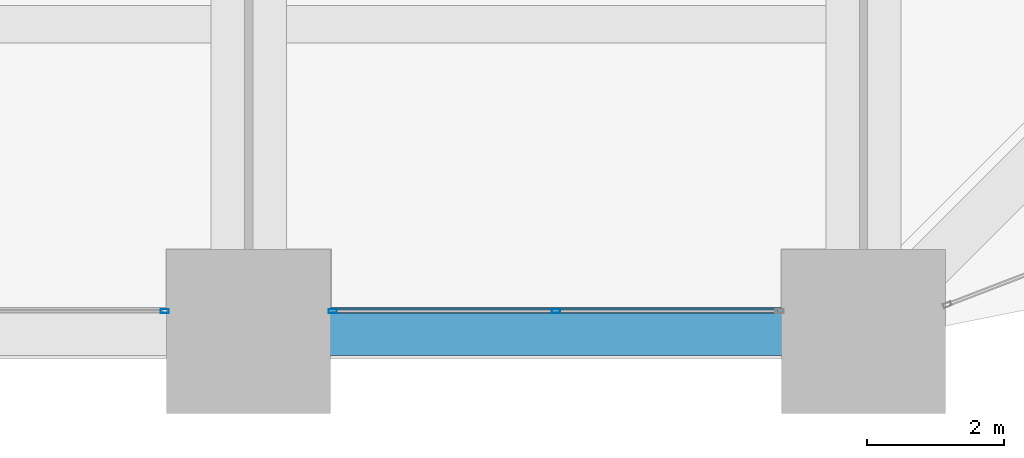
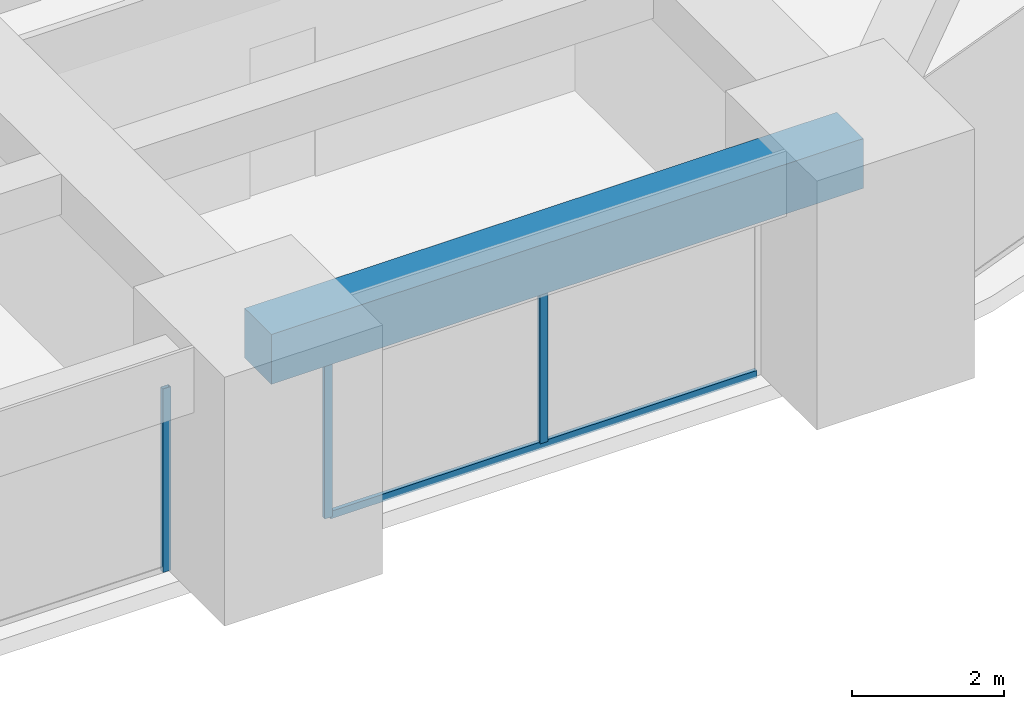
# One storey, part 11 of 45: 4 members, 1 beam, 2 elements without a shape of their own.
"""IFC4 building model written with IfcOpenShell, lengths in metres."""

import ifcopenshell
import ifcopenshell.guid

model = None  # the IFC model being written
_history = None  # IfcOwnerHistory: only IFC2X3 demands one
_inside = {}  # id of a spatial element -> (the spatial element, [elements in it])
_under = {}  # id of a project, library or spatial element -> (it, [spatial elements below it])
_declared = {}  # id of a project -> (the project, [libraries it declares])
_typed = {}  # id of a type object -> (the type object, [elements of that type])
_made_of = {}  # id of a material, layer set ... -> (it, [elements and type objects made of it])


def new_model(schema):
    """Start an empty IFC model of exactly this schema.

    Asked for "IFC4X3", IfcOpenShell would pick the latest addendum, in which some entities
    have other attributes; the version numbers below select the first issue.
    IFC2X3 requires an IfcOwnerHistory on every rooted entity: one is made here for all.
    """
    global model, _history
    if schema == "IFC4X3":
        model = ifcopenshell.file(schema_version=(4, 3, 0, 0))
    else:
        model = ifcopenshell.file(schema=schema)
    _inside.clear()
    _under.clear()
    _declared.clear()
    _typed.clear()
    _made_of.clear()
    _history = None
    if model.schema == "IFC2X3":
        org = make("IfcOrganization", Name="unknown")
        user = make(
            "IfcPersonAndOrganization",
            ThePerson=make("IfcPerson", FamilyName="unknown"),
            TheOrganization=org,
        )
        app = make(
            "IfcApplication",
            ApplicationDeveloper=org,
            Version="unknown",
            ApplicationFullName="unknown",
            ApplicationIdentifier="unknown",
        )
        _history = make(
            "IfcOwnerHistory",
            OwningUser=user,
            OwningApplication=app,
            ChangeAction="ADDED",
            CreationDate=0,
        )
    return model


def make(cls, **values):
    """One entity of the class cls with the attributes given. An attribute that is None is left unset."""
    return model.create_entity(
        cls, **{name: value for name, value in values.items() if value is not None}
    )


def rooted(cls, **values):
    """An entity with a GlobalId (a new one), such as an element, a storey or a relation."""
    return make(cls, GlobalId=ifcopenshell.guid.new(), OwnerHistory=_history, **values)


def si_unit(unit_type, name, prefix=None):
    """IfcSIUnit, for example si_unit("LENGTHUNIT", "METRE", prefix="MILLI")."""
    return make("IfcSIUnit", UnitType=unit_type, Prefix=prefix, Name=name)


def assignment(units):
    """IfcUnitAssignment: the units of a project."""
    return None if units is None else make("IfcUnitAssignment", Units=units)


def point(xyz):
    """IfcCartesianPoint."""
    return None if xyz is None else make("IfcCartesianPoint", Coordinates=xyz)


def direction(xyz):
    """IfcDirection."""
    return None if xyz is None else make("IfcDirection", DirectionRatios=xyz)


def frame(location, z_axis=None, x_axis=None):
    """IfcAxis2Placement3D, a coordinate frame: its origin and axes. An axis left out is left unset."""
    return make(
        "IfcAxis2Placement3D",
        Location=point(location),
        Axis=direction(z_axis),
        RefDirection=direction(x_axis),
    )


def frame_2d(location, x_axis=None):
    """IfcAxis2Placement2D, a coordinate frame in the plane: its origin and x axis."""
    return make(
        "IfcAxis2Placement2D", Location=point(location), RefDirection=direction(x_axis)
    )


def origin():
    """The frame at (0, 0, 0) with its axes left unset."""
    return frame((0.0, 0.0, 0.0))


def origin_2d():
    """The frame at (0, 0) in the plane with its x axis left unset."""
    return frame_2d((0.0, 0.0))


def place(relative_to, where):
    """IfcLocalPlacement: puts the frame where relative to a parent placement (None: the world)."""
    return make(
        "IfcLocalPlacement", PlacementRelTo=relative_to, RelativePlacement=where
    )


def context(
    kind, dimensions, precision=None, world=None, true_north=None, identifier=None
):
    """IfcGeometricRepresentationContext, for example the 3D "Model" context."""
    return make(
        "IfcGeometricRepresentationContext",
        ContextIdentifier=identifier,
        ContextType=kind,
        CoordinateSpaceDimension=dimensions,
        Precision=precision,
        WorldCoordinateSystem=world,
        TrueNorth=true_north,
    )


def subcontext(parent, identifier, kind, view, scale=None):
    """IfcGeometricRepresentationSubContext, for example "Body" below "Model"."""
    return make(
        "IfcGeometricRepresentationSubContext",
        ContextIdentifier=identifier,
        ContextType=kind,
        ParentContext=parent,
        TargetScale=scale,
        TargetView=view,
    )


def project(units=None, contexts=None):
    """IfcProject with its units and contexts."""
    return rooted(
        "IfcProject",
        Name="project",
        RepresentationContexts=contexts,
        UnitsInContext=assignment(units),
    )


def spatial(cls, under=None, at=None, **own):
    """A site, building, storey or space (cls), placed at a placement, below another one or the project."""
    s = rooted(cls, ObjectPlacement=at, **own)
    if under is not None:
        _under.setdefault(under.id(), (under, []))[1].append(s)
    return s


def profile(cls, at=None, kind="AREA", **sizes):
    """A parametric profile (cls). Its sizes go by their IFC names, for example OverallWidth=200.0."""
    return make(cls, ProfileType=kind, Position=at, **sizes)


def rectangle(**sizes):
    """IfcRectangleProfileDef."""
    return profile("IfcRectangleProfileDef", **sizes)


def hollow_rectangle(**sizes):
    """IfcRectangleHollowProfileDef."""
    return profile("IfcRectangleHollowProfileDef", **sizes)


def extrude(swept, where, along, depth):
    """IfcExtrudedAreaSolid: the profile swept, set in the frame where, extruded along a direction by depth."""
    return make(
        "IfcExtrudedAreaSolid",
        SweptArea=swept,
        Position=where,
        ExtrudedDirection=direction(along),
        Depth=depth,
    )


def shape(context_of_items, identifier, shape_type, items):
    """IfcShapeRepresentation: the items that make up one representation, for example the "Body"."""
    return make(
        "IfcShapeRepresentation",
        ContextOfItems=context_of_items,
        RepresentationIdentifier=identifier,
        RepresentationType=shape_type,
        Items=items,
    )


def material(Name=None, Category=None):
    """IfcMaterial."""
    return make("IfcMaterial", Name=Name, Category=Category)


def material_profile(
    of_material, cross_section, Name=None, Category=None, Priority=None
):
    """IfcMaterialProfile: a cross section and its material."""
    return make(
        "IfcMaterialProfile",
        Name=Name,
        Material=of_material,
        Profile=cross_section,
        Priority=Priority,
        Category=Category,
    )


def profile_set(profiles, Name=None, composite=None):
    """IfcMaterialProfileSet."""
    return make(
        "IfcMaterialProfileSet",
        Name=Name,
        MaterialProfiles=profiles,
        CompositeProfile=composite,
    )


def made_of(thing, what):
    """Note that an element or type object is made of a material, layer set ...; save() writes the relation."""
    if what is not None:
        _made_of.setdefault(what.id(), (what, []))[1].append(thing)
    return thing


def type_object(cls, material=None, **own):
    """A type object (cls), such as IfcWallType, which elements share."""
    return made_of(rooted(cls, **own), material)


def element(
    cls,
    number,
    at=None,
    inside=None,
    cuts=None,
    type_object=None,
    material=None,
    context=None,
    identifier="Body",
    shape_type=None,
    held_by="IfcProductDefinitionShape",
    body=None,
    shapes=None,
    **own,
):
    """One element of the class cls, such as IfcWall. Its Tag is "e" and its number.

    at: its placement. inside: the storey or other place that contains it. cuts: it is an
    opening in that element (IfcRelVoidsElement). A single representation is given by context,
    identifier, shape_type and body (its items); several are given by shapes. held_by: the class
    of the entity that holds the representations. save() writes the other relations.
    """
    e = rooted(cls, Tag="e%d" % number, ObjectPlacement=at, **own)
    if body is not None:
        shapes = [shape(context, identifier, shape_type, body)]
    if shapes is not None:
        e.Representation = make(held_by, Representations=shapes)
    if inside is not None:
        _inside.setdefault(inside.id(), (inside, []))[1].append(e)
    if cuts is not None:
        rooted(
            "IfcRelVoidsElement", RelatingBuildingElement=cuts, RelatedOpeningElement=e
        )
    if type_object is not None:
        _typed.setdefault(type_object.id(), (type_object, []))[1].append(e)
    return made_of(e, material)


def aggregate(whole, parts):
    """IfcRelAggregates: a whole, such as a stair, and the parts it consists of."""
    return rooted("IfcRelAggregates", RelatingObject=whole, RelatedObjects=parts)


def save(model, path):
    """Write the relations noted so far, then the file.

    IfcRelAggregates (storeys below a building ...), IfcRelContainedInSpatialStructure (elements
    in a storey), IfcRelDefinesByType, IfcRelAssociatesMaterial and IfcRelDeclares: one each for
    every whole, place, type object, material and project.
    """
    for whole, parts in _under.values():
        aggregate(whole, parts)
    for where, things in _inside.values():
        rooted(
            "IfcRelContainedInSpatialStructure",
            RelatedElements=things,
            RelatingStructure=where,
        )
    for kind, things in _typed.values():
        rooted("IfcRelDefinesByType", RelatedObjects=things, RelatingType=kind)
    for what, things in _made_of.values():
        rooted("IfcRelAssociatesMaterial", RelatedObjects=things, RelatingMaterial=what)
    for by, libraries in _declared.values():
        rooted("IfcRelDeclares", RelatingContext=by, RelatedDefinitions=libraries)
    model.write(path)


model = new_model("IFC4")

# Units and contexts
model_context = context("Model", 3, precision=1e-05, world=origin(), true_north=direction((0.0, 1.0)))
body_context = subcontext(model_context, "Body", "Model", "MODEL_VIEW")
ifc_project = project(units=[si_unit("LENGTHUNIT", "METRE"), si_unit("AREAUNIT", "SQUARE_METRE"), si_unit("VOLUMEUNIT", "CUBIC_METRE"), si_unit("PLANEANGLEUNIT", "RADIAN"), si_unit("MASSUNIT", "GRAM", prefix="KILO")], contexts=[model_context])

# Site, building, storey
site_placement = place(None, origin())
site = spatial("IfcSite", under=ifc_project, at=site_placement, CompositionType="ELEMENT")
building_placement = place(site_placement, origin())
building = spatial("IfcBuilding", under=site, at=building_placement, Name="Zorevar Civic Tower", CompositionType="ELEMENT")
storey_placement = place(building_placement, frame((0.0, 0.0, 247.39990234375)))
storey = spatial("IfcBuildingStorey", under=building, at=storey_placement, Name="L60", CompositionType="ELEMENT", Elevation=247.39990234375)

# Curtain wall, member
ifc_material_1 = material(Name="Dark grey solar-control glass in black aluminium frame", Category="aluminium")
curtain_wall_type = type_object("IfcCurtainWallType", Name="Curtain wall CW5 top zone", PredefinedType="NOTDEFINED", material=ifc_material_1)
curtain_wall_1_placement = place(storey_placement, origin())
curtain_wall_1 = element("IfcCurtainWall", 1, at=curtain_wall_1_placement, inside=storey, type_object=curtain_wall_type, Name="CW5 L60", PredefinedType="NOTDEFINED")
ifc_material_2 = material(Name="Aluminium, black anodised", Category="aluminium")
ifc_material_profile_1 = material_profile(ifc_material_2, hollow_rectangle(XDim=0.06005859375, YDim=0.1201171875, WallThickness=0.0029296875, at=origin_2d()), Name="AL 120x60x3")
ifc_profile_set_1 = profile_set([ifc_material_profile_1], Name="Aluminium, black anodised")
member_type_1 = type_object("IfcMemberType", Name="CW5 mullion AL 120x60x3", PredefinedType="MULLION", material=ifc_profile_set_1)
member_1_placement = place(storey_placement, frame((34.77001953125, 0.300048828125, 0.0), z_axis=(0.0, 0.0, 1.0), x_axis=(0.0, 1.0, 0.0)))
member_1 = element("IfcMember", 2, at=member_1_placement, type_object=member_type_1, Name="CW5 mullion 3", PredefinedType="MULLION", context=body_context, shape_type="SweptSolid", body=[
    extrude(hollow_rectangle(XDim=0.06005859375, YDim=0.1201171875, WallThickness=0.0029296875, at=origin_2d()), origin(), (0.0, 0.0, 1.0), 2.9501953125),
])
aggregate(curtain_wall_1, [member_1])

# Curtain wall, members
curtain_wall_2_placement = place(storey_placement, origin())
curtain_wall_2 = element("IfcCurtainWall", 3, at=curtain_wall_2_placement, inside=storey, type_object=curtain_wall_type, Name="CW5 L60", PredefinedType="NOTDEFINED")
member_2_placement = place(storey_placement, frame((37.22998046875, 0.300048828125, 0.0), z_axis=(0.0, 0.0, 1.0), x_axis=(0.0, 1.0, 0.0)))
member_2 = element("IfcMember", 4, at=member_2_placement, type_object=member_type_1, Name="CW5 mullion 1", PredefinedType="MULLION", context=body_context, shape_type="SweptSolid", body=[
    extrude(hollow_rectangle(XDim=0.06005859375, YDim=0.1201171875, WallThickness=0.0029296875, at=origin_2d()), origin(), (0.0, 0.0, 1.0), 2.9501953125),
])
member_3_placement = place(storey_placement, frame((40.5, 0.300048828125, 0.06005859375), z_axis=(0.0, 0.0, 1.0), x_axis=(0.0, 1.0, 0.0)))
member_3 = element("IfcMember", 5, at=member_3_placement, type_object=member_type_1, Name="CW5 mullion 2", PredefinedType="MULLION", context=body_context, shape_type="SweptSolid", body=[
    extrude(hollow_rectangle(XDim=0.06005859375, YDim=0.1201171875, WallThickness=0.0029296875, at=origin_2d()), origin(), (0.0, 0.0, 1.0), 2.89013671875),
])
ifc_material_3 = material(Name="Aluminium, black anodised", Category="aluminium")
ifc_material_profile_2 = material_profile(ifc_material_3, hollow_rectangle(XDim=0.06005859375, YDim=0.1201171875, WallThickness=0.0029296875, at=origin_2d()), Name="AL 120x60x3")
ifc_profile_set_2 = profile_set([ifc_material_profile_2], Name="Aluminium, black anodised")
member_type_2 = type_object("IfcMemberType", Name="CW5 transom AL 120x60x3", PredefinedType="USERDEFINED", material=ifc_profile_set_2)
member_4_placement = place(storey_placement, frame((37.260009765625, 0.300048828125, 0.030029296875), z_axis=(1.0, 0.0, 0.0), x_axis=(0.0, 1.0, 0.0)))
member_4 = element("IfcMember", 6, at=member_4_placement, type_object=member_type_2, Name="CW5 sill transom", ObjectType="TRANSOM", PredefinedType="USERDEFINED", context=body_context, shape_type="SweptSolid", body=[
    extrude(hollow_rectangle(XDim=0.06005859375, YDim=0.1201171875, WallThickness=0.0029296875, at=origin_2d()), origin(), (0.0, 0.0, 1.0), 6.47998046875),
])
aggregate(curtain_wall_2, [member_2, member_3, member_4])

# Beam
ifc_material_4 = material(Name="Concrete C50/60", Category="concrete")
ifc_material_profile_3 = material_profile(ifc_material_4, rectangle(XDim=0.699951171875, YDim=0.800048828125, at=origin_2d()), Name="RC 700x800")
ifc_profile_set_3 = profile_set([ifc_material_profile_3], Name="Concrete C50/60")
beam_type = type_object("IfcBeamType", Name="Edge beam RC 700x800", PredefinedType="SPANDREL", material=ifc_profile_set_3)
beam_placement = place(storey_placement, frame((36.0, 0.0, 3.35009765625), z_axis=(1.0, 0.0, 0.0), x_axis=(0.0, 1.0, 0.0)))
element("IfcBeam", 7, at=beam_placement, inside=storey, type_object=beam_type, Name="Edge beam L61", PredefinedType="SPANDREL", context=body_context, shape_type="SweptSolid", body=[
    extrude(rectangle(XDim=0.699951171875, YDim=0.800048828125, at=origin_2d()), origin(), (0.0, 0.0, 1.0), 9.0),
])

save(model, "model.ifc")
